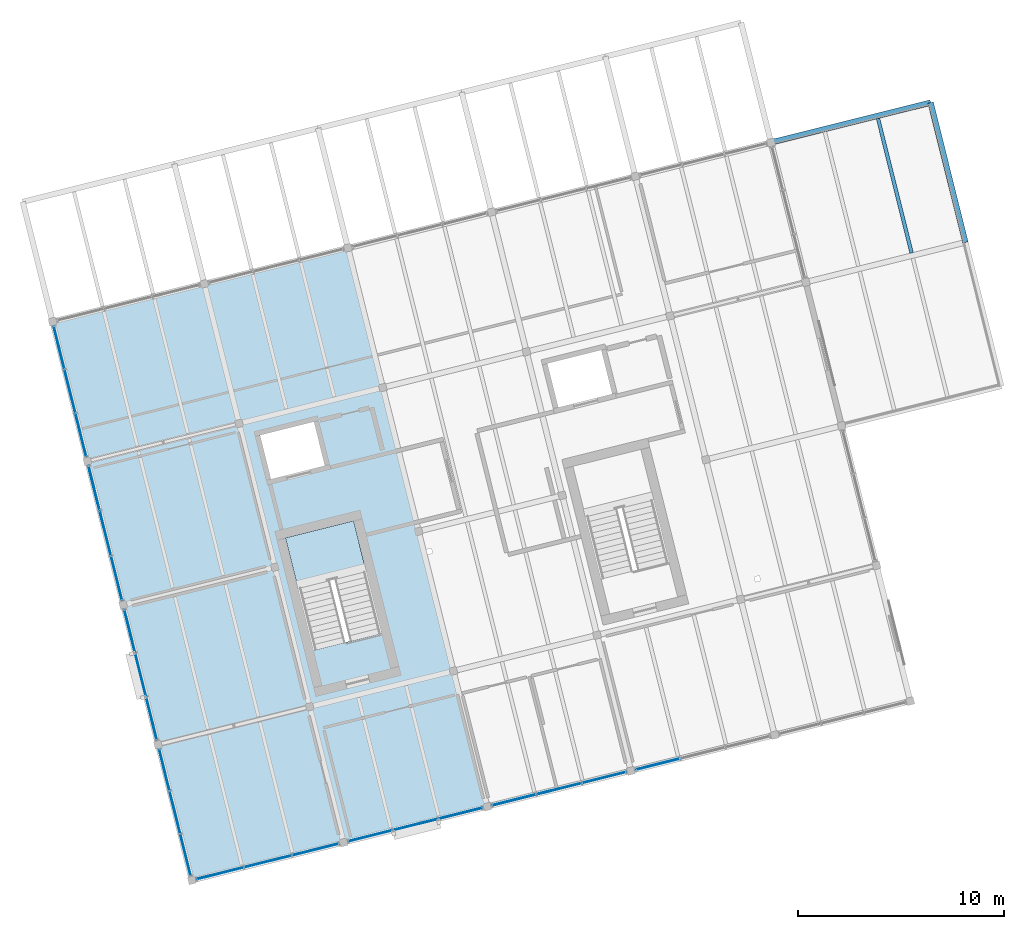
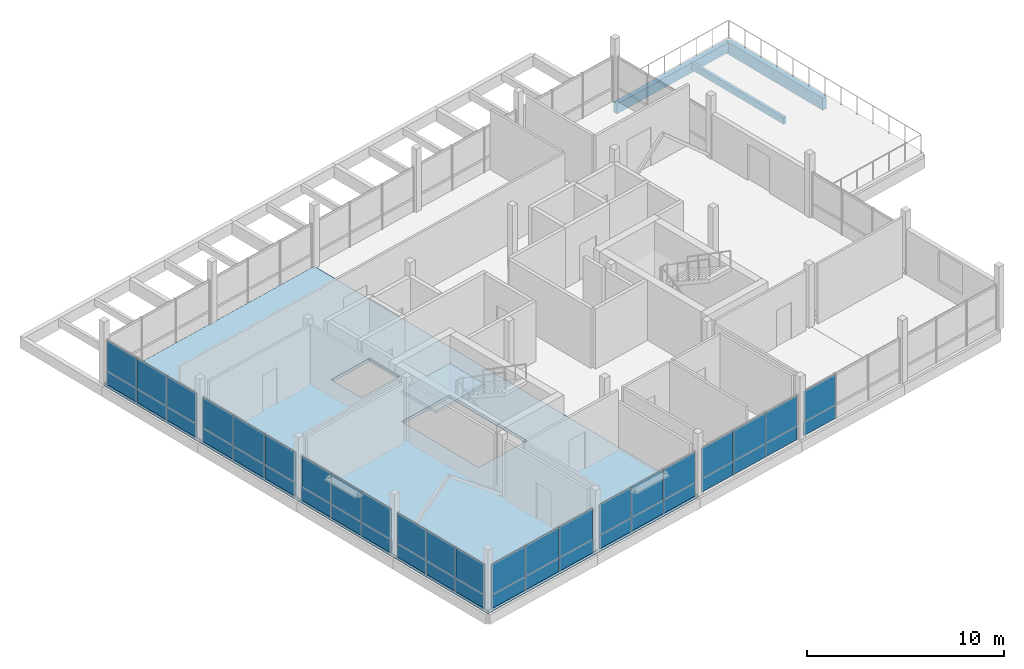
# One storey, part 24 of 28: 44 plates, 3 beams, 2 slabs, 9 elements without a shape of their own.
"""IFC4 building model written with IfcOpenShell, lengths in metres."""

import ifcopenshell
import ifcopenshell.guid

model = None  # the IFC model being written
_history = None  # IfcOwnerHistory: only IFC2X3 demands one
_inside = {}  # id of a spatial element -> (the spatial element, [elements in it])
_under = {}  # id of a project, library or spatial element -> (it, [spatial elements below it])
_declared = {}  # id of a project -> (the project, [libraries it declares])
_typed = {}  # id of a type object -> (the type object, [elements of that type])
_made_of = {}  # id of a material, layer set ... -> (it, [elements and type objects made of it])


def new_model(schema):
    """Start an empty IFC model of exactly this schema.

    Asked for "IFC4X3", IfcOpenShell would pick the latest addendum, in which some entities
    have other attributes; the version numbers below select the first issue.
    IFC2X3 requires an IfcOwnerHistory on every rooted entity: one is made here for all.
    """
    global model, _history
    if schema == "IFC4X3":
        model = ifcopenshell.file(schema_version=(4, 3, 0, 0))
    else:
        model = ifcopenshell.file(schema=schema)
    _inside.clear()
    _under.clear()
    _declared.clear()
    _typed.clear()
    _made_of.clear()
    _history = None
    if model.schema == "IFC2X3":
        org = make("IfcOrganization", Name="unknown")
        user = make(
            "IfcPersonAndOrganization",
            ThePerson=make("IfcPerson", FamilyName="unknown"),
            TheOrganization=org,
        )
        app = make(
            "IfcApplication",
            ApplicationDeveloper=org,
            Version="unknown",
            ApplicationFullName="unknown",
            ApplicationIdentifier="unknown",
        )
        _history = make(
            "IfcOwnerHistory",
            OwningUser=user,
            OwningApplication=app,
            ChangeAction="ADDED",
            CreationDate=0,
        )
    return model


def make(cls, **values):
    """One entity of the class cls with the attributes given. An attribute that is None is left unset."""
    return model.create_entity(
        cls, **{name: value for name, value in values.items() if value is not None}
    )


def rooted(cls, **values):
    """An entity with a GlobalId (a new one), such as an element, a storey or a relation."""
    return make(cls, GlobalId=ifcopenshell.guid.new(), OwnerHistory=_history, **values)


def si_unit(unit_type, name, prefix=None):
    """IfcSIUnit, for example si_unit("LENGTHUNIT", "METRE", prefix="MILLI")."""
    return make("IfcSIUnit", UnitType=unit_type, Prefix=prefix, Name=name)


def assignment(units):
    """IfcUnitAssignment: the units of a project."""
    return None if units is None else make("IfcUnitAssignment", Units=units)


def point(xyz):
    """IfcCartesianPoint."""
    return None if xyz is None else make("IfcCartesianPoint", Coordinates=xyz)


def direction(xyz):
    """IfcDirection."""
    return None if xyz is None else make("IfcDirection", DirectionRatios=xyz)


def frame(location, z_axis=None, x_axis=None):
    """IfcAxis2Placement3D, a coordinate frame: its origin and axes. An axis left out is left unset."""
    return make(
        "IfcAxis2Placement3D",
        Location=point(location),
        Axis=direction(z_axis),
        RefDirection=direction(x_axis),
    )


def frame_2d(location, x_axis=None):
    """IfcAxis2Placement2D, a coordinate frame in the plane: its origin and x axis."""
    return make(
        "IfcAxis2Placement2D", Location=point(location), RefDirection=direction(x_axis)
    )


def origin():
    """The frame at (0, 0, 0) with its axes left unset."""
    return frame((0.0, 0.0, 0.0))


def origin_2d():
    """The frame at (0, 0) in the plane with its x axis left unset."""
    return frame_2d((0.0, 0.0))


def place(relative_to, where):
    """IfcLocalPlacement: puts the frame where relative to a parent placement (None: the world)."""
    return make(
        "IfcLocalPlacement", PlacementRelTo=relative_to, RelativePlacement=where
    )


def context(
    kind, dimensions, precision=None, world=None, true_north=None, identifier=None
):
    """IfcGeometricRepresentationContext, for example the 3D "Model" context."""
    return make(
        "IfcGeometricRepresentationContext",
        ContextIdentifier=identifier,
        ContextType=kind,
        CoordinateSpaceDimension=dimensions,
        Precision=precision,
        WorldCoordinateSystem=world,
        TrueNorth=true_north,
    )


def subcontext(parent, identifier, kind, view, scale=None):
    """IfcGeometricRepresentationSubContext, for example "Body" below "Model"."""
    return make(
        "IfcGeometricRepresentationSubContext",
        ContextIdentifier=identifier,
        ContextType=kind,
        ParentContext=parent,
        TargetScale=scale,
        TargetView=view,
    )


def project(units=None, contexts=None):
    """IfcProject with its units and contexts."""
    return rooted(
        "IfcProject",
        Name="project",
        RepresentationContexts=contexts,
        UnitsInContext=assignment(units),
    )


def spatial(cls, under=None, at=None, **own):
    """A site, building, storey or space (cls), placed at a placement, below another one or the project."""
    s = rooted(cls, ObjectPlacement=at, **own)
    if under is not None:
        _under.setdefault(under.id(), (under, []))[1].append(s)
    return s


def polyline(points):
    """IfcPolyline through the points."""
    return make("IfcPolyline", Points=[point(p) for p in points])


def profile(cls, at=None, kind="AREA", **sizes):
    """A parametric profile (cls). Its sizes go by their IFC names, for example OverallWidth=200.0."""
    return make(cls, ProfileType=kind, Position=at, **sizes)


def rectangle(**sizes):
    """IfcRectangleProfileDef."""
    return profile("IfcRectangleProfileDef", **sizes)


def outline(outer, holes=None, kind="AREA"):
    """IfcArbitraryClosedProfileDef: a profile drawn as a closed curve; with holes, ...WithVoids."""
    if holes is None:
        return make("IfcArbitraryClosedProfileDef", ProfileType=kind, OuterCurve=outer)
    return make(
        "IfcArbitraryProfileDefWithVoids",
        ProfileType=kind,
        OuterCurve=outer,
        InnerCurves=holes,
    )


def extrude(swept, where, along, depth):
    """IfcExtrudedAreaSolid: the profile swept, set in the frame where, extruded along a direction by depth."""
    return make(
        "IfcExtrudedAreaSolid",
        SweptArea=swept,
        Position=where,
        ExtrudedDirection=direction(along),
        Depth=depth,
    )


def shape(context_of_items, identifier, shape_type, items):
    """IfcShapeRepresentation: the items that make up one representation, for example the "Body"."""
    return make(
        "IfcShapeRepresentation",
        ContextOfItems=context_of_items,
        RepresentationIdentifier=identifier,
        RepresentationType=shape_type,
        Items=items,
    )


def material(Name=None, Category=None):
    """IfcMaterial."""
    return make("IfcMaterial", Name=Name, Category=Category)


def layer(
    of_material, thickness, ventilated=None, Name=None, Category=None, Priority=None
):
    """IfcMaterialLayer: one layer of a wall or slab, of a material (None: an air gap)."""
    return make(
        "IfcMaterialLayer",
        Material=of_material,
        LayerThickness=thickness,
        IsVentilated=ventilated,
        Name=Name,
        Category=Category,
        Priority=Priority,
    )


def layer_set(layers, Name=None):
    """IfcMaterialLayerSet."""
    return make("IfcMaterialLayerSet", MaterialLayers=layers, LayerSetName=Name)


def material_profile(
    of_material, cross_section, Name=None, Category=None, Priority=None
):
    """IfcMaterialProfile: a cross section and its material."""
    return make(
        "IfcMaterialProfile",
        Name=Name,
        Material=of_material,
        Profile=cross_section,
        Priority=Priority,
        Category=Category,
    )


def profile_set(profiles, Name=None, composite=None):
    """IfcMaterialProfileSet."""
    return make(
        "IfcMaterialProfileSet",
        Name=Name,
        MaterialProfiles=profiles,
        CompositeProfile=composite,
    )


def made_of(thing, what):
    """Note that an element or type object is made of a material, layer set ...; save() writes the relation."""
    if what is not None:
        _made_of.setdefault(what.id(), (what, []))[1].append(thing)
    return thing


def type_object(cls, material=None, **own):
    """A type object (cls), such as IfcWallType, which elements share."""
    return made_of(rooted(cls, **own), material)


def element(
    cls,
    number,
    at=None,
    inside=None,
    cuts=None,
    type_object=None,
    material=None,
    context=None,
    identifier="Body",
    shape_type=None,
    held_by="IfcProductDefinitionShape",
    body=None,
    shapes=None,
    **own,
):
    """One element of the class cls, such as IfcWall. Its Tag is "e" and its number.

    at: its placement. inside: the storey or other place that contains it. cuts: it is an
    opening in that element (IfcRelVoidsElement). A single representation is given by context,
    identifier, shape_type and body (its items); several are given by shapes. held_by: the class
    of the entity that holds the representations. save() writes the other relations.
    """
    e = rooted(cls, Tag="e%d" % number, ObjectPlacement=at, **own)
    if body is not None:
        shapes = [shape(context, identifier, shape_type, body)]
    if shapes is not None:
        e.Representation = make(held_by, Representations=shapes)
    if inside is not None:
        _inside.setdefault(inside.id(), (inside, []))[1].append(e)
    if cuts is not None:
        rooted(
            "IfcRelVoidsElement", RelatingBuildingElement=cuts, RelatedOpeningElement=e
        )
    if type_object is not None:
        _typed.setdefault(type_object.id(), (type_object, []))[1].append(e)
    return made_of(e, material)


def aggregate(whole, parts):
    """IfcRelAggregates: a whole, such as a stair, and the parts it consists of."""
    return rooted("IfcRelAggregates", RelatingObject=whole, RelatedObjects=parts)


def save(model, path):
    """Write the relations noted so far, then the file.

    IfcRelAggregates (storeys below a building ...), IfcRelContainedInSpatialStructure (elements
    in a storey), IfcRelDefinesByType, IfcRelAssociatesMaterial and IfcRelDeclares: one each for
    every whole, place, type object, material and project.
    """
    for whole, parts in _under.values():
        aggregate(whole, parts)
    for where, things in _inside.values():
        rooted(
            "IfcRelContainedInSpatialStructure",
            RelatedElements=things,
            RelatingStructure=where,
        )
    for kind, things in _typed.values():
        rooted("IfcRelDefinesByType", RelatedObjects=things, RelatingType=kind)
    for what, things in _made_of.values():
        rooted("IfcRelAssociatesMaterial", RelatedObjects=things, RelatingMaterial=what)
    for by, libraries in _declared.values():
        rooted("IfcRelDeclares", RelatingContext=by, RelatedDefinitions=libraries)
    model.write(path)


model = new_model("IFC4")

# Units and contexts
model_context = context("Model", 3, precision=1e-05, world=origin(), true_north=direction((0.0, 1.0)))
body_context = subcontext(model_context, "Body", "Model", "MODEL_VIEW")
ifc_project = project(units=[si_unit("LENGTHUNIT", "METRE"), si_unit("AREAUNIT", "SQUARE_METRE"), si_unit("VOLUMEUNIT", "CUBIC_METRE"), si_unit("PLANEANGLEUNIT", "RADIAN"), si_unit("MASSUNIT", "GRAM", prefix="KILO")], contexts=[model_context])

# Site, building, storey
site_placement = place(None, origin())
site = spatial("IfcSite", under=ifc_project, at=site_placement, CompositionType="ELEMENT")
building_placement = place(site_placement, origin())
building = spatial("IfcBuilding", under=site, at=building_placement, Name="Meriwether Solvik Hall", CompositionType="ELEMENT")
storey_placement = place(building_placement, frame((0.0, 0.0, 45.60009765625)))
storey = spatial("IfcBuildingStorey", under=building, at=storey_placement, Name="L11", CompositionType="ELEMENT", Elevation=45.60009765625)

# Beams
ifc_material_1 = material(Name="Glulam Douglas-Fir 24F-V8 GL28h", Category="wood")
ifc_material_profile_1 = material_profile(ifc_material_1, rectangle(XDim=0.27294921875, YDim=0.610107421875, at=origin_2d()), Name="GLB-273X610")
ifc_profile_set_1 = profile_set([ifc_material_profile_1], Name="Glulam Douglas-Fir 24F-V8 GL28h")
beam_type_1 = type_object("IfcBeamType", Name="BM-GL-273X610", PredefinedType="SPANDREL", material=ifc_profile_set_1)
beam_1_placement = place(storey_placement, frame((96.7568359375, 77.077392578125, -0.525146484375), z_axis=(0.970291312354, 0.241939598187, 0.0), x_axis=(-0.241939598187, 0.970291312354, 0.0)))
element("IfcBeam", 1, at=beam_1_placement, inside=storey, type_object=beam_type_1, Name="Tower Girder TE:T6-T7 (L11)", PredefinedType="SPANDREL", context=body_context, shape_type="SweptSolid", body=[
    extrude(rectangle(XDim=0.27294921875, YDim=0.610107421875, at=origin_2d()), origin(), (0.0, 0.0, 1.0), 8.000244140625),
])
ifc_material_2 = material(Name="Glulam Douglas-Fir 24F-V8 GL28h", Category="wood")
ifc_material_profile_2 = material_profile(ifc_material_2, rectangle(XDim=0.27294921875, YDim=0.760009765625, at=origin_2d()), Name="GLB-273X760")
ifc_profile_set_2 = profile_set([ifc_material_profile_2], Name="Glulam Douglas-Fir 24F-V8 GL28h")
beam_type_2 = type_object("IfcBeamType", Name="BM-GL-273X760", PredefinedType="BEAM", material=ifc_profile_set_2)
beam_2_placement = place(storey_placement, frame((106.212646484375, 72.220703125, -0.60009765625), z_axis=(-0.241903692719, 0.970300264582, 0.0), x_axis=(-0.970300264582, -0.241903692719, 0.0)))
element("IfcBeam", 2, at=beam_2_placement, inside=storey, type_object=beam_type_2, Name="Tower Girder T7:TD-TE (L11)", PredefinedType="BEAM", context=body_context, shape_type="SweptSolid", body=[
    extrude(rectangle(XDim=0.27294921875, YDim=0.760009765625, at=origin_2d()), origin(), (0.0, 0.0, 1.0), 7.000244140625),
])
ifc_material_3 = material(Name="Glulam Douglas-Fir 24F-V8 GL28h", Category="wood")
ifc_material_profile_3 = material_profile(ifc_material_3, rectangle(XDim=0.175048828125, YDim=0.419921875, at=origin_2d()), Name="GLJ-175X420")
ifc_profile_set_3 = profile_set([ifc_material_profile_3], Name="Glulam Douglas-Fir 24F-V8 GL28h")
beam_type_3 = type_object("IfcBeamType", Name="JST-GL-175X420", PredefinedType="JOIST", material=ifc_profile_set_3)
beam_3_placement = place(storey_placement, frame((103.59326171875, 71.703125, -0.43017578125), z_axis=(-0.241887553163, 0.970304288162, 0.0), x_axis=(-0.970304288162, -0.241887553163, 0.0)))
element("IfcBeam", 3, at=beam_3_placement, inside=storey, type_object=beam_type_3, Name="Glulam Floor Joist T6/TD-J2 (L11)", PredefinedType="JOIST", context=body_context, shape_type="SweptSolid", body=[
    extrude(rectangle(XDim=0.175048828125, YDim=0.419921875, at=origin_2d()), origin(), (0.0, 0.0, 1.0), 6.737060546875),
])

# Curtain wall, plate
ifc_material_4 = material(Name="Thermally Broken Anodised Aluminium 6063-T6 and Low-E Glass", Category="aluminium")
ifc_layer_1 = layer(ifc_material_4, 0.179931640625)
ifc_layer_set_1 = layer_set([ifc_layer_1], Name="Thermally Broken Anodised Aluminium 6063-T6 and Low-E Glass")
curtain_wall_type_1 = type_object("IfcCurtainWallType", Name="CW-UNIT-E", PredefinedType="USERDEFINED", material=ifc_layer_set_1)
curtain_wall_1_placement = place(storey_placement, origin())
curtain_wall_1 = element("IfcCurtainWall", 4, at=curtain_wall_1_placement, inside=storey, type_object=curtain_wall_type_1, Name="Curtain Wall E0_B3 (L11)", ObjectType="UNITISED CURTAIN WALL", PredefinedType="USERDEFINED")
ifc_material_5 = material(Name="Low-Emissivity Double-Glazed Laminated Glass", Category="glass")
ifc_layer_2 = layer(ifc_material_5, 0.031982421875)
ifc_layer_set_2 = layer_set([ifc_layer_2], Name="Low-Emissivity Double-Glazed Laminated Glass")
plate_type_1 = type_object("IfcPlateType", Name="PLT-GLZ-180X185", PredefinedType="CURTAIN_PANEL", material=ifc_layer_set_2)
plate_1_placement = place(storey_placement, frame((91.255126953125, 46.8486328125, 0.8369140625), z_axis=(0.0, 0.0, 1.0), x_axis=(-0.97029573429, -0.241921863457, 0.0)))
plate_1 = element("IfcPlate", 5, at=plate_1_placement, type_object=plate_type_1, Name="Low-E Vision Glazing Panel 3", PredefinedType="CURTAIN_PANEL", context=body_context, shape_type="SweptSolid", body=[
    extrude(rectangle(XDim=2.224365234375, YDim=0.033935546875, at=origin_2d()), origin(), (0.0, 0.0, 1.0), 1.89306640625),
])

# Curtain wall, plates
ifc_material_6 = material(Name="Thermally Broken Anodised Aluminium 6063-T6 and Low-E Glass", Category="aluminium")
ifc_layer_3 = layer(ifc_material_6, 0.179931640625)
ifc_layer_set_3 = layer_set([ifc_layer_3], Name="Thermally Broken Anodised Aluminium 6063-T6 and Low-E Glass")
curtain_wall_type_2 = type_object("IfcCurtainWallType", Name="CW-UNIT-A", PredefinedType="USERDEFINED", material=ifc_layer_set_3)
curtain_wall_2_placement = place(storey_placement, origin())
curtain_wall_2 = element("IfcCurtainWall", 6, at=curtain_wall_2_placement, inside=storey, type_object=curtain_wall_type_2, Name="Curtain Wall E3_B3 (L11)", ObjectType="UNITISED CURTAIN WALL", PredefinedType="USERDEFINED")
plate_2_placement = place(storey_placement, frame((63.201416015625, 62.8525390625, 0.8369140625), z_axis=(0.0, 0.0, 1.0), x_axis=(-0.241921804422, 0.970295749009, 0.0)))
plate_2 = element("IfcPlate", 7, at=plate_2_placement, type_object=plate_type_1, Name="Low-E Vision Glazing Panel 1", PredefinedType="CURTAIN_PANEL", context=body_context, shape_type="SweptSolid", body=[
    extrude(rectangle(XDim=2.15771484375, YDim=0.033935546875, at=origin_2d()), origin(), (0.0, 0.0, 1.0), 1.89306640625),
])
plate_3_placement = place(storey_placement, frame((62.6728515625, 64.97216796875, 0.8369140625), z_axis=(0.0, 0.0, 1.0), x_axis=(-0.241921804422, 0.970295749009, 0.0)))
plate_3 = element("IfcPlate", 8, at=plate_3_placement, type_object=plate_type_1, Name="Low-E Vision Glazing Panel 2", PredefinedType="CURTAIN_PANEL", context=body_context, shape_type="SweptSolid", body=[
    extrude(rectangle(XDim=2.19580078125, YDim=0.033935546875, at=origin_2d()), origin(), (0.0, 0.0, 1.0), 1.89306640625),
])
plate_4_placement = place(storey_placement, frame((62.144287109375, 67.092041015625, 0.8369140625), z_axis=(0.0, 0.0, 1.0), x_axis=(-0.241921804422, 0.970295749009, 0.0)))
plate_4 = element("IfcPlate", 9, at=plate_4_placement, type_object=plate_type_1, Name="Low-E Vision Glazing Panel 3", PredefinedType="CURTAIN_PANEL", context=body_context, shape_type="SweptSolid", body=[
    extrude(rectangle(XDim=2.15771484375, YDim=0.033935546875, at=origin_2d()), origin(), (0.0, 0.0, 1.0), 1.89306640625),
])

ifc_material_7 = material(Name="Thermally Broken Anodised Aluminium 6063-T6 and Low-E Glass", Category="aluminium")
ifc_layer_4 = layer(ifc_material_7, 0.179931640625)
ifc_layer_set_4 = layer_set([ifc_layer_4], Name="Thermally Broken Anodised Aluminium 6063-T6 and Low-E Glass")
curtain_wall_type_3 = type_object("IfcCurtainWallType", Name="CW-UNIT-D", PredefinedType="USERDEFINED", material=ifc_layer_set_4)
curtain_wall_3_placement = place(storey_placement, origin())
curtain_wall_3 = element("IfcCurtainWall", 10, at=curtain_wall_3_placement, inside=storey, type_object=curtain_wall_type_3, Name="Curtain Wall E0_B2 (L11)", ObjectType="UNITISED CURTAIN WALL", PredefinedType="USERDEFINED")
ifc_material_8 = material(Name="Low-Emissivity Double-Glazed Laminated Glass", Category="glass")
ifc_layer_5 = layer(ifc_material_8, 0.031982421875)
ifc_layer_set_5 = layer_set([ifc_layer_5], Name="Low-Emissivity Double-Glazed Laminated Glass")
plate_type_2 = type_object("IfcPlateType", Name="PLT-GLZ-195X185", PredefinedType="CURTAIN_PANEL", material=ifc_layer_set_5)
plate_5_placement = place(storey_placement, frame((88.637939453125, 46.196044921875, 0.8369140625), z_axis=(0.0, 0.0, 1.0), x_axis=(-0.970295725693, -0.241921897937, 0.0)))
plate_5 = element("IfcPlate", 11, at=plate_5_placement, type_object=plate_type_2, Name="Low-E Vision Glazing Panel 1", PredefinedType="CURTAIN_PANEL", context=body_context, shape_type="SweptSolid", body=[
    extrude(rectangle(XDim=2.224365234375, YDim=0.033935546875, at=origin_2d()), origin(), (0.0, 0.0, 1.0), 1.89306640625),
])
plate_6_placement = place(storey_placement, frame((86.453369140625, 45.6513671875, 0.8369140625), z_axis=(0.0, 0.0, 1.0), x_axis=(-0.970295725693, -0.241921897937, 0.0)))
plate_6 = element("IfcPlate", 12, at=plate_6_placement, type_object=plate_type_2, Name="Low-E Vision Glazing Panel 2", PredefinedType="CURTAIN_PANEL", context=body_context, shape_type="SweptSolid", body=[
    extrude(rectangle(XDim=2.26220703125, YDim=0.033935546875, at=origin_2d()), origin(), (0.0, 0.0, 1.0), 1.89306640625),
])
plate_7_placement = place(storey_placement, frame((84.26904296875, 45.106689453125, 0.8369140625), z_axis=(0.0, 0.0, 1.0), x_axis=(-0.970295725693, -0.241921897937, 0.0)))
plate_7 = element("IfcPlate", 13, at=plate_7_placement, type_object=plate_type_2, Name="Low-E Vision Glazing Panel 3", PredefinedType="CURTAIN_PANEL", context=body_context, shape_type="SweptSolid", body=[
    extrude(rectangle(XDim=2.224365234375, YDim=0.033935546875, at=origin_2d()), origin(), (0.0, 0.0, 1.0), 1.89306640625),
])

ifc_material_9 = material(Name="Thermally Broken Anodised Aluminium 6063-T6 and Low-E Glass", Category="aluminium")
ifc_layer_6 = layer(ifc_material_9, 0.179931640625)
ifc_layer_set_6 = layer_set([ifc_layer_6], Name="Thermally Broken Anodised Aluminium 6063-T6 and Low-E Glass")
curtain_wall_type_4 = type_object("IfcCurtainWallType", Name="CW-UNIT-G", PredefinedType="USERDEFINED", material=ifc_layer_set_6)
curtain_wall_4_placement = place(storey_placement, origin())
curtain_wall_4 = element("IfcCurtainWall", 14, at=curtain_wall_4_placement, inside=storey, type_object=curtain_wall_type_4, Name="Curtain Wall E3_B2 (L11)", ObjectType="UNITISED CURTAIN WALL", PredefinedType="USERDEFINED")
plate_8_placement = place(storey_placement, frame((64.935302734375, 55.898681640625, 0.8369140625), z_axis=(0.0, 0.0, 1.0), x_axis=(-0.241921897937, 0.970295725693, 0.0)))
plate_8 = element("IfcPlate", 15, at=plate_8_placement, type_object=plate_type_2, Name="Low-E Vision Glazing Panel 1", PredefinedType="CURTAIN_PANEL", context=body_context, shape_type="SweptSolid", body=[
    extrude(rectangle(XDim=2.224365234375, YDim=0.033935546875, at=origin_2d()), origin(), (0.0, 0.0, 1.0), 1.89306640625),
])
plate_9_placement = place(storey_placement, frame((64.390625, 58.083251953125, 0.8369140625), z_axis=(0.0, 0.0, 1.0), x_axis=(-0.241921897937, 0.970295725693, 0.0)))
plate_9 = element("IfcPlate", 16, at=plate_9_placement, type_object=plate_type_2, Name="Low-E Vision Glazing Panel 2", PredefinedType="CURTAIN_PANEL", context=body_context, shape_type="SweptSolid", body=[
    extrude(rectangle(XDim=2.26220703125, YDim=0.033935546875, at=origin_2d()), origin(), (0.0, 0.0, 1.0), 1.89306640625),
])
plate_10_placement = place(storey_placement, frame((63.845947265625, 60.267578125, 0.8369140625), z_axis=(0.0, 0.0, 1.0), x_axis=(-0.241921897937, 0.970295725693, 0.0)))
plate_10 = element("IfcPlate", 17, at=plate_10_placement, type_object=plate_type_2, Name="Low-E Vision Glazing Panel 3", PredefinedType="CURTAIN_PANEL", context=body_context, shape_type="SweptSolid", body=[
    extrude(rectangle(XDim=2.224365234375, YDim=0.033935546875, at=origin_2d()), origin(), (0.0, 0.0, 1.0), 1.89306640625),
])

ifc_material_10 = material(Name="Thermally Broken Anodised Aluminium 6063-T6 and Low-E Glass", Category="aluminium")
ifc_layer_7 = layer(ifc_material_10, 0.179931640625)
ifc_layer_set_7 = layer_set([ifc_layer_7], Name="Thermally Broken Anodised Aluminium 6063-T6 and Low-E Glass")
curtain_wall_type_5 = type_object("IfcCurtainWallType", Name="CW-UNIT-C", PredefinedType="USERDEFINED", material=ifc_layer_set_7)
curtain_wall_5_placement = place(storey_placement, origin())
curtain_wall_5 = element("IfcCurtainWall", 18, at=curtain_wall_5_placement, inside=storey, type_object=curtain_wall_type_5, Name="Curtain Wall E0_B1 (L11)", ObjectType="UNITISED CURTAIN WALL", PredefinedType="USERDEFINED")
ifc_material_11 = material(Name="Low-Emissivity Double-Glazed Laminated Glass", Category="glass")
ifc_layer_8 = layer(ifc_material_11, 0.031982421875)
ifc_layer_set_8 = layer_set([ifc_layer_8], Name="Low-Emissivity Double-Glazed Laminated Glass")
plate_type_3 = type_object("IfcPlateType", Name="PLT-GLZ-210X195", PredefinedType="CURTAIN_PANEL", material=ifc_layer_set_8)
plate_11_placement = place(storey_placement, frame((81.65185546875, 44.4541015625, 0.8369140625), z_axis=(0.0, 0.0, 1.0), x_axis=(-0.970295725693, -0.241921897937, 0.0)))
plate_11 = element("IfcPlate", 19, at=plate_11_placement, type_object=plate_type_3, Name="Low-E Vision Glazing Panel 1", PredefinedType="CURTAIN_PANEL", context=body_context, shape_type="SweptSolid", body=[
    extrude(rectangle(XDim=2.224365234375, YDim=0.033935546875, at=origin_2d()), origin(), (0.0, 0.0, 1.0), 1.89306640625),
])
plate_12_placement = place(storey_placement, frame((79.46728515625, 43.909423828125, 0.8369140625), z_axis=(0.0, 0.0, 1.0), x_axis=(-0.970295725693, -0.241921897937, 0.0)))
plate_12 = element("IfcPlate", 20, at=plate_12_placement, type_object=plate_type_3, Name="Low-E Vision Glazing Panel 2", PredefinedType="CURTAIN_PANEL", context=body_context, shape_type="SweptSolid", body=[
    extrude(rectangle(XDim=2.26220703125, YDim=0.033935546875, at=origin_2d()), origin(), (0.0, 0.0, 1.0), 1.89306640625),
])
plate_13_placement = place(storey_placement, frame((77.282958984375, 43.364990234375, 0.8369140625), z_axis=(0.0, 0.0, 1.0), x_axis=(-0.970295725693, -0.241921897937, 0.0)))
plate_13 = element("IfcPlate", 21, at=plate_13_placement, type_object=plate_type_3, Name="Low-E Vision Glazing Panel 3", PredefinedType="CURTAIN_PANEL", context=body_context, shape_type="SweptSolid", body=[
    extrude(rectangle(XDim=2.224365234375, YDim=0.033935546875, at=origin_2d()), origin(), (0.0, 0.0, 1.0), 1.89306640625),
])

ifc_material_12 = material(Name="Thermally Broken Anodised Aluminium 6063-T6 and Low-E Glass", Category="aluminium")
ifc_layer_9 = layer(ifc_material_12, 0.179931640625)
ifc_layer_set_9 = layer_set([ifc_layer_9], Name="Thermally Broken Anodised Aluminium 6063-T6 and Low-E Glass")
curtain_wall_type_6 = type_object("IfcCurtainWallType", Name="CW-UNIT-F", PredefinedType="USERDEFINED", material=ifc_layer_set_9)
curtain_wall_6_placement = place(storey_placement, origin())
curtain_wall_6 = element("IfcCurtainWall", 22, at=curtain_wall_6_placement, inside=storey, type_object=curtain_wall_type_6, Name="Curtain Wall E3_B1 (L11)", ObjectType="UNITISED CURTAIN WALL", PredefinedType="USERDEFINED")
plate_14_placement = place(storey_placement, frame((66.63671875, 49.07421875, 0.8369140625), z_axis=(0.0, 0.0, 1.0), x_axis=(-0.24192176891, 0.970295757863, 0.0)))
plate_14 = element("IfcPlate", 23, at=plate_14_placement, type_object=plate_type_3, Name="Low-E Vision Glazing Panel 1", PredefinedType="CURTAIN_PANEL", context=body_context, shape_type="SweptSolid", body=[
    extrude(rectangle(XDim=2.15771484375, YDim=0.033935546875, at=origin_2d()), origin(), (0.0, 0.0, 1.0), 1.89306640625),
])
plate_15_placement = place(storey_placement, frame((66.108154296875, 51.194091796875, 0.8369140625), z_axis=(0.0, 0.0, 1.0), x_axis=(-0.24192176891, 0.970295757863, 0.0)))
plate_15 = element("IfcPlate", 24, at=plate_15_placement, type_object=plate_type_3, Name="Low-E Vision Glazing Panel 2", PredefinedType="CURTAIN_PANEL", context=body_context, shape_type="SweptSolid", body=[
    extrude(rectangle(XDim=2.19580078125, YDim=0.033935546875, at=origin_2d()), origin(), (0.0, 0.0, 1.0), 1.89306640625),
])
plate_16_placement = place(storey_placement, frame((65.57958984375, 53.313720703125, 0.8369140625), z_axis=(0.0, 0.0, 1.0), x_axis=(-0.24192176891, 0.970295757863, 0.0)))
plate_16 = element("IfcPlate", 25, at=plate_16_placement, type_object=plate_type_3, Name="Low-E Vision Glazing Panel 3", PredefinedType="CURTAIN_PANEL", context=body_context, shape_type="SweptSolid", body=[
    extrude(rectangle(XDim=2.15771484375, YDim=0.033935546875, at=origin_2d()), origin(), (0.0, 0.0, 1.0), 1.89306640625),
])

ifc_material_13 = material(Name="Thermally Broken Anodised Aluminium 6063-T6 and Low-E Glass", Category="aluminium")
ifc_layer_10 = layer(ifc_material_13, 0.179931640625)
ifc_layer_set_10 = layer_set([ifc_layer_10], Name="Thermally Broken Anodised Aluminium 6063-T6 and Low-E Glass")
curtain_wall_type_7 = type_object("IfcCurtainWallType", Name="CW-UNIT-B", PredefinedType="USERDEFINED", material=ifc_layer_set_10)
curtain_wall_7_placement = place(storey_placement, origin())
curtain_wall_7 = element("IfcCurtainWall", 26, at=curtain_wall_7_placement, inside=storey, type_object=curtain_wall_type_7, Name="Curtain Wall E0_B0 (L11)", ObjectType="UNITISED CURTAIN WALL", PredefinedType="USERDEFINED")
ifc_material_14 = material(Name="Low-Emissivity Double-Glazed Laminated Glass", Category="glass")
ifc_layer_11 = layer(ifc_material_14, 0.031982421875)
ifc_layer_set_11 = layer_set([ifc_layer_11], Name="Low-Emissivity Double-Glazed Laminated Glass")
plate_type_4 = type_object("IfcPlateType", Name="PLT-GLZ-225X195", PredefinedType="CURTAIN_PANEL", material=ifc_layer_set_11)
plate_17_placement = place(storey_placement, frame((74.600830078125, 42.6962890625, 0.8369140625), z_axis=(0.0, 0.0, 1.0), x_axis=(-0.970295715501, -0.241921938817, 0.0)))
plate_17 = element("IfcPlate", 27, at=plate_17_placement, type_object=plate_type_4, Name="Low-E Vision Glazing Panel 1", PredefinedType="CURTAIN_PANEL", context=body_context, shape_type="SweptSolid", body=[
    extrude(rectangle(XDim=2.357666015625, YDim=0.033935546875, at=origin_2d()), origin(), (0.0, 0.0, 1.0), 1.89306640625),
])
plate_18_placement = place(storey_placement, frame((72.287109375, 42.119384765625, 0.8369140625), z_axis=(0.0, 0.0, 1.0), x_axis=(-0.970295715501, -0.241921938817, 0.0)))
plate_18 = element("IfcPlate", 28, at=plate_18_placement, type_object=plate_type_4, Name="Low-E Vision Glazing Panel 2", PredefinedType="CURTAIN_PANEL", context=body_context, shape_type="SweptSolid", body=[
    extrude(rectangle(XDim=2.395751953125, YDim=0.033935546875, at=origin_2d()), origin(), (0.0, 0.0, 1.0), 1.89306640625),
])
plate_19_placement = place(storey_placement, frame((69.973388671875, 41.54248046875, 0.8369140625), z_axis=(0.0, 0.0, 1.0), x_axis=(-0.970295715501, -0.241921938817, 0.0)))
plate_19 = element("IfcPlate", 29, at=plate_19_placement, type_object=plate_type_4, Name="Low-E Vision Glazing Panel 3", PredefinedType="CURTAIN_PANEL", context=body_context, shape_type="SweptSolid", body=[
    extrude(rectangle(XDim=2.357666015625, YDim=0.033935546875, at=origin_2d()), origin(), (0.0, 0.0, 1.0), 1.89306640625),
])

curtain_wall_8_placement = place(storey_placement, origin())
curtain_wall_8 = element("IfcCurtainWall", 30, at=curtain_wall_8_placement, inside=storey, type_object=curtain_wall_type_1, Name="Curtain Wall E3_B0 (L11)", ObjectType="UNITISED CURTAIN WALL", PredefinedType="USERDEFINED")
plate_20_placement = place(storey_placement, frame((68.289794921875, 42.44384765625, 0.8369140625), z_axis=(0.0, 0.0, 1.0), x_axis=(-0.241921888555, 0.970295728032, 0.0)))
plate_20 = element("IfcPlate", 31, at=plate_20_placement, type_object=plate_type_4, Name="Low-E Vision Glazing Panel 1", PredefinedType="CURTAIN_PANEL", context=body_context, shape_type="SweptSolid", body=[
    extrude(rectangle(XDim=2.091064453125, YDim=0.033935546875, at=origin_2d()), origin(), (0.0, 0.0, 1.0), 1.89306640625),
])
plate_21_placement = place(storey_placement, frame((67.777587890625, 44.4990234375, 0.8369140625), z_axis=(0.0, 0.0, 1.0), x_axis=(-0.241921888555, 0.970295728032, 0.0)))
plate_21 = element("IfcPlate", 32, at=plate_21_placement, type_object=plate_type_4, Name="Low-E Vision Glazing Panel 2", PredefinedType="CURTAIN_PANEL", context=body_context, shape_type="SweptSolid", body=[
    extrude(rectangle(XDim=2.12890625, YDim=0.033935546875, at=origin_2d()), origin(), (0.0, 0.0, 1.0), 1.89306640625),
])
plate_22_placement = place(storey_placement, frame((67.26513671875, 46.55419921875, 0.8369140625), z_axis=(0.0, 0.0, 1.0), x_axis=(-0.241921888555, 0.970295728032, 0.0)))
plate_22 = element("IfcPlate", 33, at=plate_22_placement, type_object=plate_type_4, Name="Low-E Vision Glazing Panel 3", PredefinedType="CURTAIN_PANEL", context=body_context, shape_type="SweptSolid", body=[
    extrude(rectangle(XDim=2.091064453125, YDim=0.033935546875, at=origin_2d()), origin(), (0.0, 0.0, 1.0), 1.89306640625),
])

# Plate
ifc_material_15 = material(Name="Mineral-Wool Insulated Anodised Aluminium 6063-T6", Category="aluminium")
ifc_layer_12 = layer(ifc_material_15, 0.044921875)
ifc_layer_set_12 = layer_set([ifc_layer_12], Name="Mineral-Wool Insulated Anodised Aluminium 6063-T6")
plate_type_5 = type_object("IfcPlateType", Name="PLT-SPN-200X085", PredefinedType="CURTAIN_PANEL", material=ifc_layer_set_12)
plate_23_placement = place(storey_placement, frame((74.600830078125, 42.6962890625, 0.0), z_axis=(0.0, 0.0, 1.0), x_axis=(-0.970295715501, -0.241921938817, 0.0)))
plate_23 = element("IfcPlate", 34, at=plate_23_placement, type_object=plate_type_5, Name="Insulated Spandrel Panel 1", PredefinedType="CURTAIN_PANEL", context=body_context, shape_type="SweptSolid", body=[
    extrude(rectangle(XDim=2.357666015625, YDim=0.044921875, at=origin_2d()), origin(), (0.0, 0.0, 1.0), 0.8369140625),
])

plate_24_placement = place(storey_placement, frame((72.287109375, 42.119384765625, 0.0), z_axis=(0.0, 0.0, 1.0), x_axis=(-0.970295715501, -0.241921938817, 0.0)))
plate_24 = element("IfcPlate", 35, at=plate_24_placement, type_object=plate_type_5, Name="Insulated Spandrel Panel 2", PredefinedType="CURTAIN_PANEL", context=body_context, shape_type="SweptSolid", body=[
    extrude(rectangle(XDim=2.395751953125, YDim=0.044921875, at=origin_2d()), origin(), (0.0, 0.0, 1.0), 0.8369140625),
])

plate_25_placement = place(storey_placement, frame((69.973388671875, 41.54248046875, 0.0), z_axis=(0.0, 0.0, 1.0), x_axis=(-0.970295715501, -0.241921938817, 0.0)))
plate_25 = element("IfcPlate", 36, at=plate_25_placement, type_object=plate_type_5, Name="Insulated Spandrel Panel 3", PredefinedType="CURTAIN_PANEL", context=body_context, shape_type="SweptSolid", body=[
    extrude(rectangle(XDim=2.357666015625, YDim=0.044921875, at=origin_2d()), origin(), (0.0, 0.0, 1.0), 0.8369140625),
])

aggregate(curtain_wall_7, [plate_23, plate_17, plate_24, plate_18, plate_25, plate_19])

plate_26_placement = place(storey_placement, frame((81.65185546875, 44.4541015625, 0.0), z_axis=(0.0, 0.0, 1.0), x_axis=(-0.970295725693, -0.241921897937, 0.0)))
plate_26 = element("IfcPlate", 37, at=plate_26_placement, type_object=plate_type_5, Name="Insulated Spandrel Panel 1", PredefinedType="CURTAIN_PANEL", context=body_context, shape_type="SweptSolid", body=[
    extrude(rectangle(XDim=2.224365234375, YDim=0.044921875, at=origin_2d()), origin(), (0.0, 0.0, 1.0), 0.8369140625),
])

plate_27_placement = place(storey_placement, frame((79.46728515625, 43.909423828125, 0.0), z_axis=(0.0, 0.0, 1.0), x_axis=(-0.970295725693, -0.241921897937, 0.0)))
plate_27 = element("IfcPlate", 38, at=plate_27_placement, type_object=plate_type_5, Name="Insulated Spandrel Panel 2", PredefinedType="CURTAIN_PANEL", context=body_context, shape_type="SweptSolid", body=[
    extrude(rectangle(XDim=2.26220703125, YDim=0.044921875, at=origin_2d()), origin(), (0.0, 0.0, 1.0), 0.8369140625),
])

plate_28_placement = place(storey_placement, frame((77.282958984375, 43.364990234375, 0.0), z_axis=(0.0, 0.0, 1.0), x_axis=(-0.970295725693, -0.241921897937, 0.0)))
plate_28 = element("IfcPlate", 39, at=plate_28_placement, type_object=plate_type_5, Name="Insulated Spandrel Panel 3", PredefinedType="CURTAIN_PANEL", context=body_context, shape_type="SweptSolid", body=[
    extrude(rectangle(XDim=2.224365234375, YDim=0.044921875, at=origin_2d()), origin(), (0.0, 0.0, 1.0), 0.8369140625),
])

aggregate(curtain_wall_5, [plate_26, plate_11, plate_27, plate_12, plate_28, plate_13])

plate_29_placement = place(storey_placement, frame((88.637939453125, 46.196044921875, 0.0), z_axis=(0.0, 0.0, 1.0), x_axis=(-0.970295725693, -0.241921897937, 0.0)))
plate_29 = element("IfcPlate", 40, at=plate_29_placement, type_object=plate_type_5, Name="Insulated Spandrel Panel 1", PredefinedType="CURTAIN_PANEL", context=body_context, shape_type="SweptSolid", body=[
    extrude(rectangle(XDim=2.224365234375, YDim=0.044921875, at=origin_2d()), origin(), (0.0, 0.0, 1.0), 0.8369140625),
])

plate_30_placement = place(storey_placement, frame((86.453369140625, 45.6513671875, 0.0), z_axis=(0.0, 0.0, 1.0), x_axis=(-0.970295725693, -0.241921897937, 0.0)))
plate_30 = element("IfcPlate", 41, at=plate_30_placement, type_object=plate_type_5, Name="Insulated Spandrel Panel 2", PredefinedType="CURTAIN_PANEL", context=body_context, shape_type="SweptSolid", body=[
    extrude(rectangle(XDim=2.26220703125, YDim=0.044921875, at=origin_2d()), origin(), (0.0, 0.0, 1.0), 0.8369140625),
])

plate_31_placement = place(storey_placement, frame((84.26904296875, 45.106689453125, 0.0), z_axis=(0.0, 0.0, 1.0), x_axis=(-0.970295725693, -0.241921897937, 0.0)))
plate_31 = element("IfcPlate", 42, at=plate_31_placement, type_object=plate_type_5, Name="Insulated Spandrel Panel 3", PredefinedType="CURTAIN_PANEL", context=body_context, shape_type="SweptSolid", body=[
    extrude(rectangle(XDim=2.224365234375, YDim=0.044921875, at=origin_2d()), origin(), (0.0, 0.0, 1.0), 0.8369140625),
])

aggregate(curtain_wall_3, [plate_29, plate_5, plate_30, plate_6, plate_31, plate_7])

plate_32_placement = place(storey_placement, frame((91.255126953125, 46.8486328125, 0.0), z_axis=(0.0, 0.0, 1.0), x_axis=(-0.97029573429, -0.241921863457, 0.0)))
plate_32 = element("IfcPlate", 43, at=plate_32_placement, type_object=plate_type_5, Name="Insulated Spandrel Panel 3", PredefinedType="CURTAIN_PANEL", context=body_context, shape_type="SweptSolid", body=[
    extrude(rectangle(XDim=2.224365234375, YDim=0.044921875, at=origin_2d()), origin(), (0.0, 0.0, 1.0), 0.8369140625),
])

aggregate(curtain_wall_1, [plate_32, plate_1])

plate_33_placement = place(storey_placement, frame((68.289794921875, 42.44384765625, 0.0), z_axis=(0.0, 0.0, 1.0), x_axis=(-0.241921888555, 0.970295728032, 0.0)))
plate_33 = element("IfcPlate", 44, at=plate_33_placement, type_object=plate_type_5, Name="Insulated Spandrel Panel 1", PredefinedType="CURTAIN_PANEL", context=body_context, shape_type="SweptSolid", body=[
    extrude(rectangle(XDim=2.091064453125, YDim=0.044921875, at=origin_2d()), origin(), (0.0, 0.0, 1.0), 0.8369140625),
])

plate_34_placement = place(storey_placement, frame((67.777587890625, 44.4990234375, 0.0), z_axis=(0.0, 0.0, 1.0), x_axis=(-0.241921888555, 0.970295728032, 0.0)))
plate_34 = element("IfcPlate", 45, at=plate_34_placement, type_object=plate_type_5, Name="Insulated Spandrel Panel 2", PredefinedType="CURTAIN_PANEL", context=body_context, shape_type="SweptSolid", body=[
    extrude(rectangle(XDim=2.12890625, YDim=0.044921875, at=origin_2d()), origin(), (0.0, 0.0, 1.0), 0.8369140625),
])

plate_35_placement = place(storey_placement, frame((67.26513671875, 46.55419921875, 0.0), z_axis=(0.0, 0.0, 1.0), x_axis=(-0.241921888555, 0.970295728032, 0.0)))
plate_35 = element("IfcPlate", 46, at=plate_35_placement, type_object=plate_type_5, Name="Insulated Spandrel Panel 3", PredefinedType="CURTAIN_PANEL", context=body_context, shape_type="SweptSolid", body=[
    extrude(rectangle(XDim=2.091064453125, YDim=0.044921875, at=origin_2d()), origin(), (0.0, 0.0, 1.0), 0.8369140625),
])

aggregate(curtain_wall_8, [plate_33, plate_20, plate_34, plate_21, plate_35, plate_22])

plate_36_placement = place(storey_placement, frame((66.63671875, 49.07421875, 0.0), z_axis=(0.0, 0.0, 1.0), x_axis=(-0.24192176891, 0.970295757863, 0.0)))
plate_36 = element("IfcPlate", 47, at=plate_36_placement, type_object=plate_type_5, Name="Insulated Spandrel Panel 1", PredefinedType="CURTAIN_PANEL", context=body_context, shape_type="SweptSolid", body=[
    extrude(rectangle(XDim=2.15771484375, YDim=0.044921875, at=origin_2d()), origin(), (0.0, 0.0, 1.0), 0.8369140625),
])

plate_37_placement = place(storey_placement, frame((66.108154296875, 51.194091796875, 0.0), z_axis=(0.0, 0.0, 1.0), x_axis=(-0.24192176891, 0.970295757863, 0.0)))
plate_37 = element("IfcPlate", 48, at=plate_37_placement, type_object=plate_type_5, Name="Insulated Spandrel Panel 2", PredefinedType="CURTAIN_PANEL", context=body_context, shape_type="SweptSolid", body=[
    extrude(rectangle(XDim=2.19580078125, YDim=0.044921875, at=origin_2d()), origin(), (0.0, 0.0, 1.0), 0.8369140625),
])

plate_38_placement = place(storey_placement, frame((65.57958984375, 53.313720703125, 0.0), z_axis=(0.0, 0.0, 1.0), x_axis=(-0.24192176891, 0.970295757863, 0.0)))
plate_38 = element("IfcPlate", 49, at=plate_38_placement, type_object=plate_type_5, Name="Insulated Spandrel Panel 3", PredefinedType="CURTAIN_PANEL", context=body_context, shape_type="SweptSolid", body=[
    extrude(rectangle(XDim=2.15771484375, YDim=0.044921875, at=origin_2d()), origin(), (0.0, 0.0, 1.0), 0.8369140625),
])

aggregate(curtain_wall_6, [plate_36, plate_14, plate_37, plate_15, plate_38, plate_16])

plate_39_placement = place(storey_placement, frame((64.935302734375, 55.898681640625, 0.0), z_axis=(0.0, 0.0, 1.0), x_axis=(-0.241921897937, 0.970295725693, 0.0)))
plate_39 = element("IfcPlate", 50, at=plate_39_placement, type_object=plate_type_5, Name="Insulated Spandrel Panel 1", PredefinedType="CURTAIN_PANEL", context=body_context, shape_type="SweptSolid", body=[
    extrude(rectangle(XDim=2.224365234375, YDim=0.044921875, at=origin_2d()), origin(), (0.0, 0.0, 1.0), 0.8369140625),
])

plate_40_placement = place(storey_placement, frame((64.390625, 58.083251953125, 0.0), z_axis=(0.0, 0.0, 1.0), x_axis=(-0.241921897937, 0.970295725693, 0.0)))
plate_40 = element("IfcPlate", 51, at=plate_40_placement, type_object=plate_type_5, Name="Insulated Spandrel Panel 2", PredefinedType="CURTAIN_PANEL", context=body_context, shape_type="SweptSolid", body=[
    extrude(rectangle(XDim=2.26220703125, YDim=0.044921875, at=origin_2d()), origin(), (0.0, 0.0, 1.0), 0.8369140625),
])

plate_41_placement = place(storey_placement, frame((63.845947265625, 60.267578125, 0.0), z_axis=(0.0, 0.0, 1.0), x_axis=(-0.241921897937, 0.970295725693, 0.0)))
plate_41 = element("IfcPlate", 52, at=plate_41_placement, type_object=plate_type_5, Name="Insulated Spandrel Panel 3", PredefinedType="CURTAIN_PANEL", context=body_context, shape_type="SweptSolid", body=[
    extrude(rectangle(XDim=2.224365234375, YDim=0.044921875, at=origin_2d()), origin(), (0.0, 0.0, 1.0), 0.8369140625),
])

aggregate(curtain_wall_4, [plate_39, plate_8, plate_40, plate_9, plate_41, plate_10])

plate_42_placement = place(storey_placement, frame((63.201416015625, 62.8525390625, 0.0), z_axis=(0.0, 0.0, 1.0), x_axis=(-0.241921804422, 0.970295749009, 0.0)))
plate_42 = element("IfcPlate", 53, at=plate_42_placement, type_object=plate_type_5, Name="Insulated Spandrel Panel 1", PredefinedType="CURTAIN_PANEL", context=body_context, shape_type="SweptSolid", body=[
    extrude(rectangle(XDim=2.15771484375, YDim=0.044921875, at=origin_2d()), origin(), (0.0, 0.0, 1.0), 0.8369140625),
])

plate_43_placement = place(storey_placement, frame((62.6728515625, 64.97216796875, 0.0), z_axis=(0.0, 0.0, 1.0), x_axis=(-0.241921804422, 0.970295749009, 0.0)))
plate_43 = element("IfcPlate", 54, at=plate_43_placement, type_object=plate_type_5, Name="Insulated Spandrel Panel 2", PredefinedType="CURTAIN_PANEL", context=body_context, shape_type="SweptSolid", body=[
    extrude(rectangle(XDim=2.19580078125, YDim=0.044921875, at=origin_2d()), origin(), (0.0, 0.0, 1.0), 0.8369140625),
])

plate_44_placement = place(storey_placement, frame((62.144287109375, 67.092041015625, 0.0), z_axis=(0.0, 0.0, 1.0), x_axis=(-0.241921804422, 0.970295749009, 0.0)))
plate_44 = element("IfcPlate", 55, at=plate_44_placement, type_object=plate_type_5, Name="Insulated Spandrel Panel 3", PredefinedType="CURTAIN_PANEL", context=body_context, shape_type="SweptSolid", body=[
    extrude(rectangle(XDim=2.15771484375, YDim=0.044921875, at=origin_2d()), origin(), (0.0, 0.0, 1.0), 0.8369140625),
])

aggregate(curtain_wall_2, [plate_42, plate_2, plate_43, plate_3, plate_44, plate_4])

# Slab
ifc_material_16 = material(Name="Cross-Laminated Timber PRG 320 E1", Category="wood")
ifc_layer_13 = layer(ifc_material_16, 0.199951171875)
ifc_layer_set_13 = layer_set([ifc_layer_13], Name="Cross-Laminated Timber PRG 320 E1")
slab_type_1 = type_object("IfcSlabType", Name="SLB-CLT-200", PredefinedType="FLOOR", material=ifc_layer_set_13)
slab_1_placement = place(storey_placement, frame((0.0, 0.0, -0.2001953125)))
element("IfcSlab", 56, at=slab_1_placement, inside=storey, type_object=slab_type_1, Name="L11 Mass-Timber CLT Floor W", PredefinedType="FLOOR", context=body_context, shape_type="SweptSolid", body=[
    extrude(outline(polyline([(76.18359375, 71.947998046875), (82.95751953125, 44.77978515625), (68.60009765625, 41.199951171875), (61.826171875, 68.3681640625), (76.18359375, 71.947998046875)]), holes=[polyline([(74.5205078125, 52.382568359375), (77.819580078125, 53.205078125), (76.45703125, 58.669677734375), (73.157958984375, 57.84716796875), (74.5205078125, 52.382568359375)]), polyline([(71.912109375, 62.84423828125), (72.4443359375, 60.70947265625), (75.064208984375, 61.36279296875), (74.531982421875, 63.497314453125), (71.912109375, 62.84423828125)])]), origin(), (0.0, 0.0, 1.0), 0.2001953125),
])

# Stair, slab
ifc_material_17 = material(Name="Concrete C40/50", Category="concrete")
stair_type = type_object("IfcStairType", Name="STR-CORE-DOGLEG-A", PredefinedType="TWO_STRAIGHT_RUN_STAIR", material=ifc_material_17)
stair_placement = place(storey_placement, origin())
stair = element("IfcStair", 57, at=stair_placement, inside=storey, type_object=stair_type, Name="Exit Stair ST-01 (L11)", PredefinedType="TWO_STRAIGHT_RUN_STAIR")
ifc_material_18 = material(Name="Concrete C40/50", Category="concrete")
ifc_layer_14 = layer(ifc_material_18, 0.199951171875)
ifc_layer_set_14 = layer_set([ifc_layer_14], Name="Concrete C40/50")
slab_type_2 = type_object("IfcSlabType", Name="SLB-LND-200", PredefinedType="LANDING", material=ifc_layer_set_14)
slab_2_placement = place(storey_placement, frame((0.0, 0.0, 1.75)))
slab_2 = element("IfcSlab", 58, at=slab_2_placement, type_object=slab_type_2, Name="Stair ST-01 Half Landing (L11)", PredefinedType="LANDING", context=body_context, shape_type="SweptSolid", body=[
    extrude(outline(polyline([(73.76611328125, 55.38818359375), (77.07470703125, 56.213134765625), (76.460693359375, 58.67578125), (73.152099609375, 57.850830078125), (73.76611328125, 55.38818359375)])), origin(), (0.0, 0.0, 1.0), 0.199951171875),
])
aggregate(stair, [slab_2])

save(model, "model.ifc")
